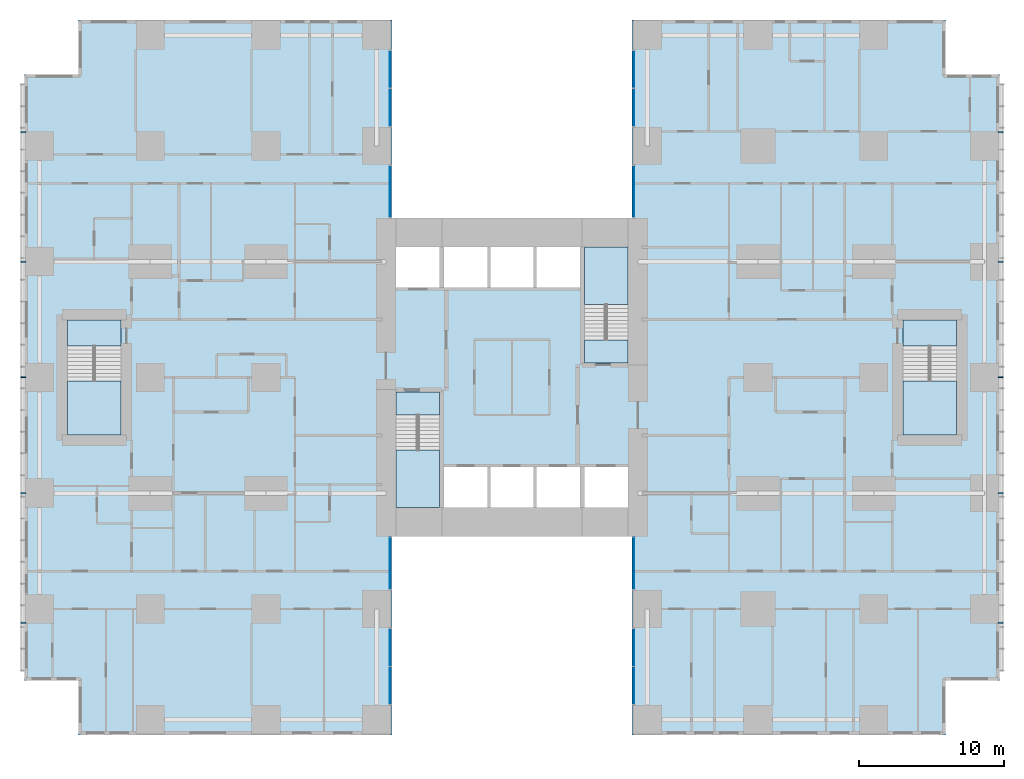
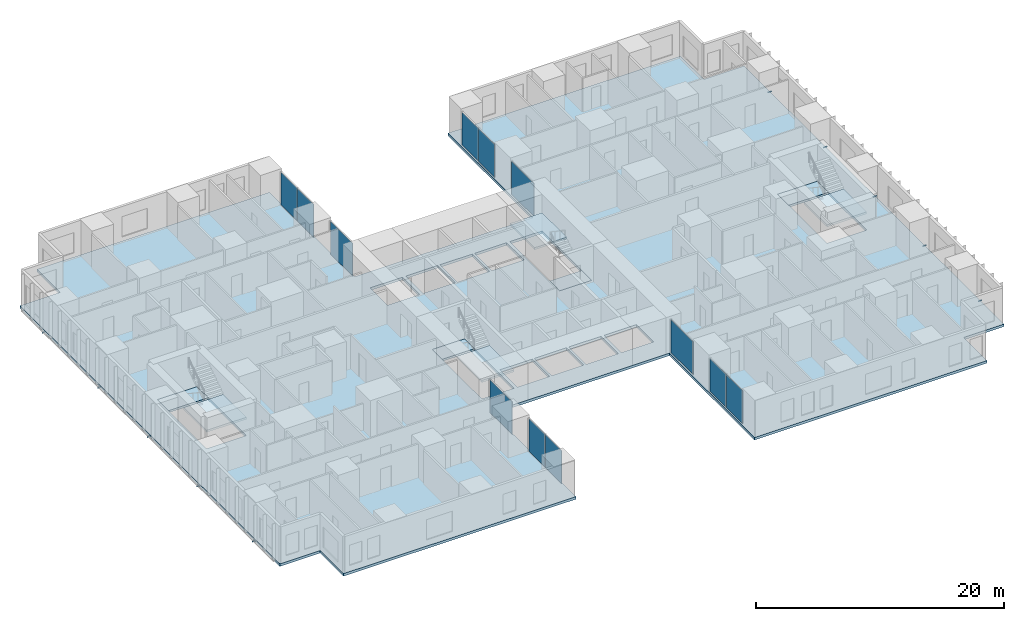
# One storey, part 7 of 20: 12 plates, 10 members, 9 slabs, 12 elements without a shape of their own.
"""IFC4 building model written with IfcOpenShell, lengths in metres."""

from ifc_helpers import new_model, si_unit, direction, frame, origin, origin_2d, place, context, subcontext, project, spatial, polyline, rectangle, hollow_rectangle, outline, extrude, material, layer, layer_set, material_profile, profile_set, type_object, element, aggregate, save


model = new_model("IFC4")

# Units and contexts
model_context = context("Model", 3, precision=1e-05, world=origin(), true_north=direction((0.0, 1.0)))
body_context = subcontext(model_context, "Body", "Model", "MODEL_VIEW")
ifc_project = project(units=[si_unit("LENGTHUNIT", "METRE"), si_unit("AREAUNIT", "SQUARE_METRE"), si_unit("VOLUMEUNIT", "CUBIC_METRE"), si_unit("PLANEANGLEUNIT", "RADIAN"), si_unit("MASSUNIT", "GRAM", prefix="KILO")], contexts=[model_context])

# Site, building, storey
site_placement = place(None, origin())
site = spatial("IfcSite", under=ifc_project, at=site_placement, CompositionType="ELEMENT")
building_placement = place(site_placement, origin())
building = spatial("IfcBuilding", under=site, at=building_placement, Name="Cleftline Residences", CompositionType="ELEMENT")
storey_placement = place(building_placement, frame((0.0, 0.0, 83.60009765625)))
storey = spatial("IfcBuildingStorey", under=building, at=storey_placement, Name="L21", CompositionType="ELEMENT", Elevation=83.60009765625)

# Members
ifc_material_1 = material(Name="Steel S355, hot-dip galvanised", Category="steel")
ifc_material_profile = material_profile(ifc_material_1, hollow_rectangle(XDim=0.10009765625, YDim=0.10009765625, WallThickness=0.008056640625, InnerFilletRadius=0.008056640625, OuterFilletRadius=0.011962890625, at=origin_2d()))
ifc_profile_set = profile_set([ifc_material_profile], Name="Steel S355, hot-dip galvanised")
member_type = type_object("IfcMemberType", Name="BAGUETTE BRACKET SHS 100X100X8", PredefinedType="USERDEFINED", material=ifc_profile_set)
for number, where, z_axis, x_axis, name in (
    (1, (66.60009765625, 7.050048828125, -0.150146484375), (1.0, 0.0, 0.0), (0.0, 1.0, 0.0), "Baguette bracket"),
    (2, (66.60009765625, 16.0, -0.150146484375), (1.0, 0.0, 0.0), (0.0, 1.0, 0.0), "Baguette bracket"),
    (3, (66.60009765625, 24.0, -0.150146484375), (1.0, 0.0, 0.0), (0.0, 1.0, 0.0), "Baguette bracket"),
    (4, (66.60009765625, 32.0, -0.150146484375), (1.0, 0.0, 0.0), (0.0, 1.0, 0.0), "Baguette bracket"),
    (5, (66.60009765625, 40.949951171875, -0.150146484375), (1.0, 0.0, 0.0), (0.0, 1.0, 0.0), "Baguette bracket"),
    (6, (-0.60009765625, 40.949951171875, -0.150146484375), (-1.0, 0.0, 0.0), (0.0, -1.0, 0.0), "Baguette bracket"),
    (7, (-0.60009765625, 32.0, -0.150146484375), (-1.0, 0.0, 0.0), (0.0, -1.0, 0.0), "Baguette bracket"),
    (8, (-0.60009765625, 24.0, -0.150146484375), (-1.0, 0.0, 0.0), (0.0, -1.0, 0.0), "Baguette bracket"),
    (9, (-0.60009765625, 16.0, -0.150146484375), (-1.0, 0.0, 0.0), (0.0, -1.0, 0.0), "Baguette bracket"),
    (10, (-0.60009765625, 7.050048828125, -0.150146484375), (-1.0, 0.0, 0.0), (0.0, -1.0, 0.0), "Baguette bracket"),
):
    element("IfcMember", number, at=place(storey_placement, frame(where, z_axis=z_axis, x_axis=x_axis)), inside=storey, type_object=member_type, Name=name, ObjectType="BAGUETTE BRACKET", PredefinedType="USERDEFINED", context=body_context, shape_type="SweptSolid", body=[
        extrude(hollow_rectangle(XDim=0.10009765625, YDim=0.10009765625, WallThickness=0.008056640625, InnerFilletRadius=0.008056640625, OuterFilletRadius=0.011962890625, at=origin_2d()), origin(), (0.0, 0.0, 1.0), 0.349853515625),
    ])

# Curtain wall, plates
ifc_material_2 = material(Name="Aluminium framed curtain wall", Category="aluminium")
ifc_layer_1 = layer(ifc_material_2, 0.199951171875)
ifc_layer_set_1 = layer_set([ifc_layer_1], Name="CW1 CLEFT GLAZING")
curtain_wall_type = type_object("IfcCurtainWallType", Name="CW1 CLEFT GLAZING", PredefinedType="NOTDEFINED", material=ifc_layer_set_1)
curtain_wall_1_placement = place(storey_placement, origin())
curtain_wall_1 = element("IfcCurtainWall", 11, at=curtain_wall_1_placement, inside=storey, type_object=curtain_wall_type, Name="Curtain wall CW1", PredefinedType="NOTDEFINED")
ifc_material_3 = material(Name="Laminated clear glass", Category="glass")
ifc_layer_2 = layer(ifc_material_3, 0.028076171875)
ifc_layer_set_2 = layer_set([ifc_layer_2], Name="CW1 GLASS PANEL")
plate_type = type_object("IfcPlateType", Name="CW1 GLASS PANEL", PredefinedType="CURTAIN_PANEL", material=ifc_layer_set_2)
plate_1_placement = place(storey_placement, frame((24.574951171875, 2.702392578125, 0.059814453125), z_axis=(0.0, 0.0, 1.0), x_axis=(0.0, 1.0, 0.0)))
plate_1 = element("IfcPlate", 12, at=plate_1_placement, type_object=plate_type, Name="CW1 panel 1.1", PredefinedType="CURTAIN_PANEL", context=body_context, shape_type="SweptSolid", body=[
    extrude(rectangle(XDim=2.5849609375, YDim=0.028076171875, at=origin_2d()), origin(), (0.0, 0.0, 1.0), 3.22998046875),
])
plate_2_placement = place(storey_placement, frame((24.574951171875, 5.347412109375, 0.059814453125), z_axis=(0.0, 0.0, 1.0), x_axis=(0.0, 1.0, 0.0)))
plate_2 = element("IfcPlate", 13, at=plate_2_placement, type_object=plate_type, Name="CW1 panel 2.1", PredefinedType="CURTAIN_PANEL", context=body_context, shape_type="SweptSolid", body=[
    extrude(rectangle(XDim=2.5849609375, YDim=0.028076171875, at=origin_2d()), origin(), (0.0, 0.0, 1.0), 3.22998046875),
])
aggregate(curtain_wall_1, [plate_1, plate_2])

# Curtain wall, plate
curtain_wall_2_placement = place(storey_placement, origin())
curtain_wall_2 = element("IfcCurtainWall", 14, at=curtain_wall_2_placement, inside=storey, type_object=curtain_wall_type, Name="Curtain wall CW1", PredefinedType="NOTDEFINED")
plate_3_placement = place(storey_placement, frame((24.574951171875, 11.14990234375, 0.059814453125), z_axis=(0.0, 0.0, 1.0), x_axis=(0.0, 1.0, 0.0)))
plate_3 = element("IfcPlate", 15, at=plate_3_placement, type_object=plate_type, Name="CW1 panel 1.1", PredefinedType="CURTAIN_PANEL", context=body_context, shape_type="SweptSolid", body=[
    extrude(rectangle(XDim=3.580078125, YDim=0.028076171875, at=origin_2d()), origin(), (0.0, 0.0, 1.0), 3.22998046875),
])
aggregate(curtain_wall_2, [plate_3])

curtain_wall_3_placement = place(storey_placement, origin())
curtain_wall_3 = element("IfcCurtainWall", 16, at=curtain_wall_3_placement, inside=storey, type_object=curtain_wall_type, Name="Curtain wall CW1", PredefinedType="NOTDEFINED")
plate_4_placement = place(storey_placement, frame((41.425048828125, 11.14990234375, 0.059814453125), z_axis=(0.0, 0.0, 1.0), x_axis=(0.0, -1.0, 0.0)))
plate_4 = element("IfcPlate", 17, at=plate_4_placement, type_object=plate_type, Name="CW1 panel 1.1", PredefinedType="CURTAIN_PANEL", context=body_context, shape_type="SweptSolid", body=[
    extrude(rectangle(XDim=3.580078125, YDim=0.028076171875, at=origin_2d()), origin(), (0.0, 0.0, 1.0), 3.22998046875),
])
aggregate(curtain_wall_3, [plate_4])

# Curtain wall, plates
curtain_wall_4_placement = place(storey_placement, origin())
curtain_wall_4 = element("IfcCurtainWall", 18, at=curtain_wall_4_placement, inside=storey, type_object=curtain_wall_type, Name="Curtain wall CW1", PredefinedType="NOTDEFINED")
plate_5_placement = place(storey_placement, frame((41.425048828125, 5.347412109375, 0.059814453125), z_axis=(0.0, 0.0, 1.0), x_axis=(0.0, -1.0, 0.0)))
plate_5 = element("IfcPlate", 19, at=plate_5_placement, type_object=plate_type, Name="CW1 panel 1.1", PredefinedType="CURTAIN_PANEL", context=body_context, shape_type="SweptSolid", body=[
    extrude(rectangle(XDim=2.5849609375, YDim=0.028076171875, at=origin_2d()), origin(), (0.0, 0.0, 1.0), 3.22998046875),
])
plate_6_placement = place(storey_placement, frame((41.425048828125, 2.702392578125, 0.059814453125), z_axis=(0.0, 0.0, 1.0), x_axis=(0.0, -1.0, 0.0)))
plate_6 = element("IfcPlate", 20, at=plate_6_placement, type_object=plate_type, Name="CW1 panel 2.1", PredefinedType="CURTAIN_PANEL", context=body_context, shape_type="SweptSolid", body=[
    extrude(rectangle(XDim=2.5849609375, YDim=0.028076171875, at=origin_2d()), origin(), (0.0, 0.0, 1.0), 3.22998046875),
])
aggregate(curtain_wall_4, [plate_5, plate_6])

curtain_wall_5_placement = place(storey_placement, origin())
curtain_wall_5 = element("IfcCurtainWall", 21, at=curtain_wall_5_placement, inside=storey, type_object=curtain_wall_type, Name="Curtain wall CW1", PredefinedType="NOTDEFINED")
plate_7_placement = place(storey_placement, frame((41.425048828125, 45.297607421875, 0.059814453125), z_axis=(0.0, 0.0, 1.0), x_axis=(0.0, -1.0, 0.0)))
plate_7 = element("IfcPlate", 22, at=plate_7_placement, type_object=plate_type, Name="CW1 panel 1.1", PredefinedType="CURTAIN_PANEL", context=body_context, shape_type="SweptSolid", body=[
    extrude(rectangle(XDim=2.5849609375, YDim=0.028076171875, at=origin_2d()), origin(), (0.0, 0.0, 1.0), 3.22998046875),
])
plate_8_placement = place(storey_placement, frame((41.425048828125, 42.652587890625, 0.059814453125), z_axis=(0.0, 0.0, 1.0), x_axis=(0.0, -1.0, 0.0)))
plate_8 = element("IfcPlate", 23, at=plate_8_placement, type_object=plate_type, Name="CW1 panel 2.1", PredefinedType="CURTAIN_PANEL", context=body_context, shape_type="SweptSolid", body=[
    extrude(rectangle(XDim=2.5849609375, YDim=0.028076171875, at=origin_2d()), origin(), (0.0, 0.0, 1.0), 3.22998046875),
])
aggregate(curtain_wall_5, [plate_7, plate_8])

# Curtain wall, plate
curtain_wall_6_placement = place(storey_placement, origin())
curtain_wall_6 = element("IfcCurtainWall", 24, at=curtain_wall_6_placement, inside=storey, type_object=curtain_wall_type, Name="Curtain wall CW1", PredefinedType="NOTDEFINED")
plate_9_placement = place(storey_placement, frame((41.425048828125, 36.85009765625, 0.059814453125), z_axis=(0.0, 0.0, 1.0), x_axis=(0.0, -1.0, 0.0)))
plate_9 = element("IfcPlate", 25, at=plate_9_placement, type_object=plate_type, Name="CW1 panel 1.1", PredefinedType="CURTAIN_PANEL", context=body_context, shape_type="SweptSolid", body=[
    extrude(rectangle(XDim=3.580078125, YDim=0.028076171875, at=origin_2d()), origin(), (0.0, 0.0, 1.0), 3.22998046875),
])
aggregate(curtain_wall_6, [plate_9])

curtain_wall_7_placement = place(storey_placement, origin())
curtain_wall_7 = element("IfcCurtainWall", 26, at=curtain_wall_7_placement, inside=storey, type_object=curtain_wall_type, Name="Curtain wall CW1", PredefinedType="NOTDEFINED")
plate_10_placement = place(storey_placement, frame((24.574951171875, 36.85009765625, 0.059814453125), z_axis=(0.0, 0.0, 1.0), x_axis=(0.0, 1.0, 0.0)))
plate_10 = element("IfcPlate", 27, at=plate_10_placement, type_object=plate_type, Name="CW1 panel 1.1", PredefinedType="CURTAIN_PANEL", context=body_context, shape_type="SweptSolid", body=[
    extrude(rectangle(XDim=3.580078125, YDim=0.028076171875, at=origin_2d()), origin(), (0.0, 0.0, 1.0), 3.22998046875),
])
aggregate(curtain_wall_7, [plate_10])

# Curtain wall, plates
curtain_wall_8_placement = place(storey_placement, origin())
curtain_wall_8 = element("IfcCurtainWall", 28, at=curtain_wall_8_placement, inside=storey, type_object=curtain_wall_type, Name="Curtain wall CW1", PredefinedType="NOTDEFINED")
plate_11_placement = place(storey_placement, frame((24.574951171875, 42.652587890625, 0.059814453125), z_axis=(0.0, 0.0, 1.0), x_axis=(0.0, 1.0, 0.0)))
plate_11 = element("IfcPlate", 29, at=plate_11_placement, type_object=plate_type, Name="CW1 panel 1.1", PredefinedType="CURTAIN_PANEL", context=body_context, shape_type="SweptSolid", body=[
    extrude(rectangle(XDim=2.5849609375, YDim=0.028076171875, at=origin_2d()), origin(), (0.0, 0.0, 1.0), 3.22998046875),
])
plate_12_placement = place(storey_placement, frame((24.574951171875, 45.297607421875, 0.059814453125), z_axis=(0.0, 0.0, 1.0), x_axis=(0.0, 1.0, 0.0)))
plate_12 = element("IfcPlate", 30, at=plate_12_placement, type_object=plate_type, Name="CW1 panel 2.1", PredefinedType="CURTAIN_PANEL", context=body_context, shape_type="SweptSolid", body=[
    extrude(rectangle(XDim=2.5849609375, YDim=0.028076171875, at=origin_2d()), origin(), (0.0, 0.0, 1.0), 3.22998046875),
])
aggregate(curtain_wall_8, [plate_11, plate_12])

# Slab
ifc_material_4 = material(Name="Concrete B45", Category="concrete")
ifc_layer_3 = layer(ifc_material_4, 0.25)
ifc_layer_set_3 = layer_set([ifc_layer_3], Name="FLOOR SLAB 250")
slab_type_1 = type_object("IfcSlabType", Name="FLOOR SLAB 250", PredefinedType="FLOOR", material=ifc_layer_set_3)
slab_1_placement = place(storey_placement, frame((0.0, 0.0, -0.25)))
element("IfcSlab", 31, at=slab_1_placement, inside=storey, type_object=slab_type_1, Name="Floor slab L21", PredefinedType="FLOOR", context=body_context, shape_type="SweptSolid", body=[
    extrude(outline(polyline([(24.699951171875, 13.0), (41.300048828125, 13.0), (41.300048828125, -0.699951171875), (62.949951171875, -0.699951171875), (62.949951171875, 3.050048828125), (66.699951171875, 3.050048828125), (66.699951171875, 44.949951171875), (62.949951171875, 44.949951171875), (62.949951171875, 48.699951171875), (41.300048828125, 48.699951171875), (41.300048828125, 35.0), (24.699951171875, 35.0), (24.699951171875, 48.699951171875), (3.050048828125, 48.699951171875), (3.050048828125, 44.949951171875), (-0.699951171875, 44.949951171875), (-0.699951171875, 3.050048828125), (3.050048828125, 3.050048828125), (3.050048828125, -0.699951171875), (24.699951171875, -0.699951171875), (24.699951171875, 13.0)]), holes=[polyline([(28.0, 15.0), (28.0, 23.0), (25.0, 23.0), (25.0, 15.0), (28.0, 15.0)]), polyline([(41.0, 25.0), (41.0, 33.0), (38.0, 33.0), (38.0, 25.0), (41.0, 25.0)]), polyline([(28.0, 30.199951171875), (28.0, 33.0), (25.0, 33.0), (25.0, 30.199951171875), (28.0, 30.199951171875)]), polyline([(41.0, 15.0), (41.0, 17.800048828125), (38.0, 17.800048828125), (38.0, 15.0), (41.0, 15.0)]), polyline([(31.300048828125, 15.0), (31.300048828125, 17.800048828125), (28.300048828125, 17.800048828125), (28.300048828125, 15.0), (31.300048828125, 15.0)]), polyline([(34.5, 15.0), (34.5, 17.800048828125), (31.5, 17.800048828125), (31.5, 15.0), (34.5, 15.0)]), polyline([(37.699951171875, 15.0), (37.699951171875, 17.800048828125), (34.699951171875, 17.800048828125), (34.699951171875, 15.0), (37.699951171875, 15.0)]), polyline([(31.300048828125, 30.199951171875), (31.300048828125, 33.0), (28.300048828125, 33.0), (28.300048828125, 30.199951171875), (31.300048828125, 30.199951171875)]), polyline([(34.5, 30.199951171875), (34.5, 33.0), (31.5, 33.0), (31.5, 30.199951171875), (34.5, 30.199951171875)]), polyline([(37.699951171875, 30.199951171875), (37.699951171875, 33.0), (34.699951171875, 33.0), (34.699951171875, 30.199951171875), (37.699951171875, 30.199951171875)]), polyline([(63.72509765625, 20.02490234375), (63.72509765625, 27.97509765625), (60.02490234375, 27.97509765625), (60.02490234375, 20.02490234375), (63.72509765625, 20.02490234375)]), polyline([(5.97509765625, 20.02490234375), (5.97509765625, 27.97509765625), (2.27490234375, 27.97509765625), (2.27490234375, 20.02490234375), (5.97509765625, 20.02490234375)])]), origin(), (0.0, 0.0, 1.0), 0.25),
])

# Stair, slabs
ifc_material_5 = material(Name="Concrete B45, stone treads", Category="masonry")
stair_type_1 = type_object("IfcStairType", Name="STAIR A 1450 WIDE 180 RISER", PredefinedType="HALF_TURN_STAIR", material=ifc_material_5)
stair_1_placement = place(storey_placement, origin())
stair_1 = element("IfcStair", 32, at=stair_1_placement, inside=storey, type_object=stair_type_1, Name="Stair A L21", PredefinedType="HALF_TURN_STAIR")
ifc_material_6 = material(Name="Concrete B45", Category="concrete")
ifc_layer_4 = layer(ifc_material_6, 0.199951171875)
ifc_layer_set_4 = layer_set([ifc_layer_4], Name="STAIR LANDING 200")
slab_type_2 = type_object("IfcSlabType", Name="STAIR LANDING 200", PredefinedType="LANDING", material=ifc_layer_set_4)
slab_2_placement = place(storey_placement, frame((0.0, 0.0, -0.2001953125)))
slab_2 = element("IfcSlab", 33, at=slab_2_placement, type_object=slab_type_2, Name="ST-A landing 1", PredefinedType="LANDING", context=body_context, shape_type="SweptSolid", body=[
    extrude(outline(polyline([(25.0, 21.39990234375), (28.0, 21.39990234375), (28.0, 23.0), (25.0, 23.0), (25.0, 21.39990234375)])), origin(), (0.0, 0.0, 1.0), 0.2001953125),
])
slab_3_placement = place(storey_placement, frame((0.0, 0.0, 1.599853515625)))
slab_3 = element("IfcSlab", 34, at=slab_3_placement, type_object=slab_type_2, Name="ST-A landing 2", PredefinedType="LANDING", context=body_context, shape_type="SweptSolid", body=[
    extrude(outline(polyline([(25.0, 15.0), (28.0, 15.0), (28.0, 18.969970703125), (25.0, 18.969970703125), (25.0, 15.0)])), origin(), (0.0, 0.0, 1.0), 0.199951171875),
])
aggregate(stair_1, [slab_2, slab_3])

ifc_material_7 = material(Name="Concrete B45, stone treads", Category="masonry")
stair_type_2 = type_object("IfcStairType", Name="STAIR B 1450 WIDE 180 RISER", PredefinedType="HALF_TURN_STAIR", material=ifc_material_7)
stair_2_placement = place(storey_placement, origin())
stair_2 = element("IfcStair", 35, at=stair_2_placement, inside=storey, type_object=stair_type_2, Name="Stair B L21", PredefinedType="HALF_TURN_STAIR")
slab_4_placement = place(storey_placement, frame((0.0, 0.0, -0.2001953125)))
slab_4 = element("IfcSlab", 36, at=slab_4_placement, type_object=slab_type_2, Name="ST-B landing 1", PredefinedType="LANDING", context=body_context, shape_type="SweptSolid", body=[
    extrude(outline(polyline([(38.0, 25.0), (41.0, 25.0), (41.0, 26.60009765625), (38.0, 26.60009765625), (38.0, 25.0)])), origin(), (0.0, 0.0, 1.0), 0.2001953125),
])
slab_5_placement = place(storey_placement, frame((0.0, 0.0, 1.599853515625)))
slab_5 = element("IfcSlab", 37, at=slab_5_placement, type_object=slab_type_2, Name="ST-B landing 2", PredefinedType="LANDING", context=body_context, shape_type="SweptSolid", body=[
    extrude(outline(polyline([(38.0, 29.030029296875), (41.0, 29.030029296875), (41.0, 33.0), (38.0, 33.0), (38.0, 29.030029296875)])), origin(), (0.0, 0.0, 1.0), 0.199951171875),
])
aggregate(stair_2, [slab_4, slab_5])

ifc_material_8 = material(Name="Concrete B45, stone treads", Category="masonry")
stair_type_3 = type_object("IfcStairType", Name="STAIR E 1800 WIDE 180 RISER", PredefinedType="HALF_TURN_STAIR", material=ifc_material_8)
stair_3_placement = place(storey_placement, origin())
stair_3 = element("IfcStair", 38, at=stair_3_placement, inside=storey, type_object=stair_type_3, Name="Stair E L21", PredefinedType="HALF_TURN_STAIR")
slab_6_placement = place(storey_placement, frame((0.0, 0.0, -0.2001953125)))
slab_6 = element("IfcSlab", 39, at=slab_6_placement, type_object=slab_type_2, Name="ST-E landing 1", PredefinedType="LANDING", context=body_context, shape_type="SweptSolid", body=[
    extrude(outline(polyline([(60.02490234375, 26.175048828125), (63.72509765625, 26.175048828125), (63.72509765625, 27.97509765625), (60.02490234375, 27.97509765625), (60.02490234375, 26.175048828125)])), origin(), (0.0, 0.0, 1.0), 0.2001953125),
])
slab_7_placement = place(storey_placement, frame((0.0, 0.0, 1.599853515625)))
slab_7 = element("IfcSlab", 40, at=slab_7_placement, type_object=slab_type_2, Name="ST-E landing 2", PredefinedType="LANDING", context=body_context, shape_type="SweptSolid", body=[
    extrude(outline(polyline([(60.02490234375, 20.02490234375), (63.72509765625, 20.02490234375), (63.72509765625, 23.7451171875), (60.02490234375, 23.7451171875), (60.02490234375, 20.02490234375)])), origin(), (0.0, 0.0, 1.0), 0.199951171875),
])
aggregate(stair_3, [slab_6, slab_7])

ifc_material_9 = material(Name="Concrete B45, stone treads", Category="masonry")
stair_type_4 = type_object("IfcStairType", Name="STAIR W 1800 WIDE 180 RISER", PredefinedType="HALF_TURN_STAIR", material=ifc_material_9)
stair_4_placement = place(storey_placement, origin())
stair_4 = element("IfcStair", 41, at=stair_4_placement, inside=storey, type_object=stair_type_4, Name="Stair W L21", PredefinedType="HALF_TURN_STAIR")
slab_8_placement = place(storey_placement, frame((0.0, 0.0, -0.2001953125)))
slab_8 = element("IfcSlab", 42, at=slab_8_placement, type_object=slab_type_2, Name="ST-W landing 1", PredefinedType="LANDING", context=body_context, shape_type="SweptSolid", body=[
    extrude(outline(polyline([(2.27490234375, 26.175048828125), (5.97509765625, 26.175048828125), (5.97509765625, 27.97509765625), (2.27490234375, 27.97509765625), (2.27490234375, 26.175048828125)])), origin(), (0.0, 0.0, 1.0), 0.2001953125),
])
slab_9_placement = place(storey_placement, frame((0.0, 0.0, 1.599853515625)))
slab_9 = element("IfcSlab", 43, at=slab_9_placement, type_object=slab_type_2, Name="ST-W landing 2", PredefinedType="LANDING", context=body_context, shape_type="SweptSolid", body=[
    extrude(outline(polyline([(2.27490234375, 20.02490234375), (5.97509765625, 20.02490234375), (5.97509765625, 23.7451171875), (2.27490234375, 23.7451171875), (2.27490234375, 20.02490234375)])), origin(), (0.0, 0.0, 1.0), 0.199951171875),
])
aggregate(stair_4, [slab_8, slab_9])

save(model, "model.ifc")
